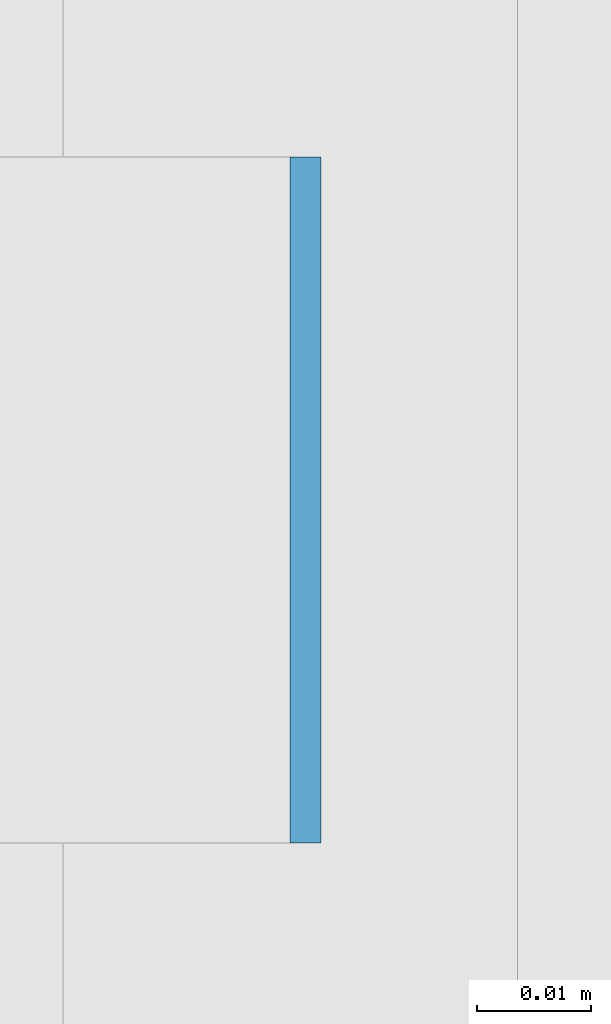
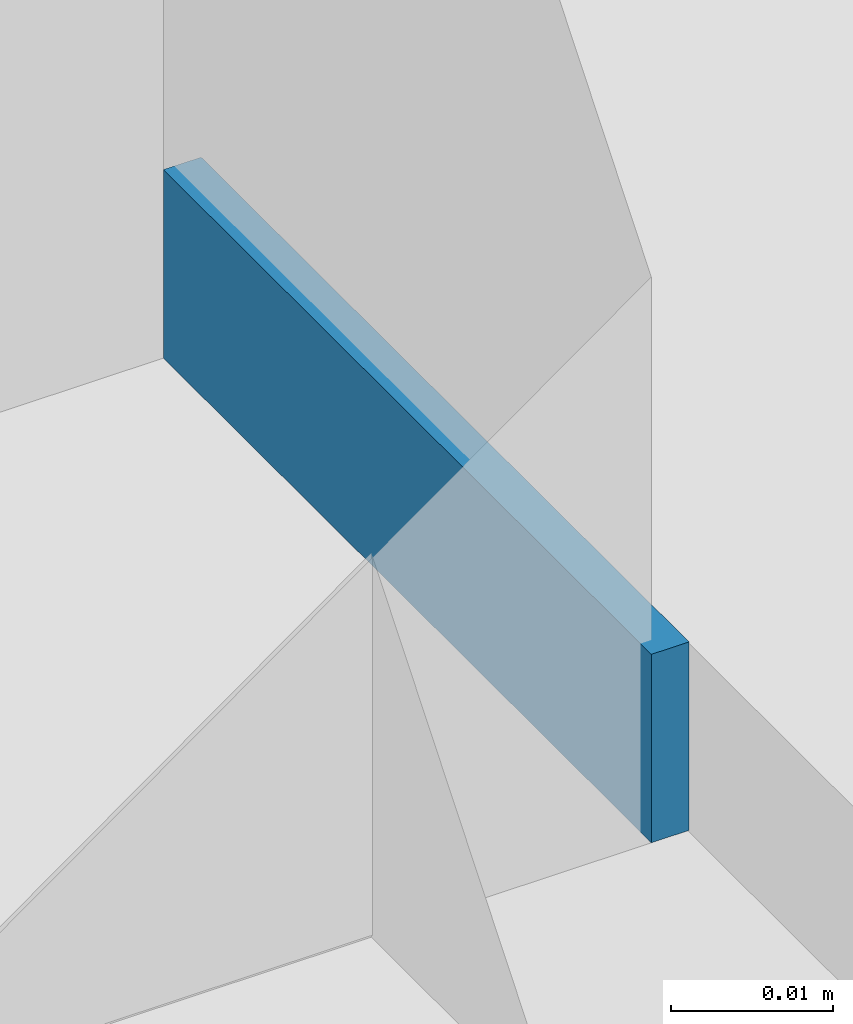
# One storey, part 404 of 646: 1 discrete accessory.
"""IFC4 building model written with IfcOpenShell, lengths in metres."""

from ifc_helpers import new_model, si_unit, direction, frame, origin, origin_2d, place, context, subcontext, project, spatial, rectangle, extrude, material, type_object, element, save


model = new_model("IFC4")

# Units and contexts
model_context = context("Model", 3, precision=1e-05, world=origin(), true_north=direction((0.0, 1.0)))
body_context = subcontext(model_context, "Body", "Model", "MODEL_VIEW")
ifc_project = project(units=[si_unit("LENGTHUNIT", "METRE"), si_unit("AREAUNIT", "SQUARE_METRE"), si_unit("VOLUMEUNIT", "CUBIC_METRE"), si_unit("PLANEANGLEUNIT", "RADIAN"), si_unit("MASSUNIT", "GRAM", prefix="KILO")], contexts=[model_context])

# Site, building, storey
site_placement = place(None, origin())
site = spatial("IfcSite", under=ifc_project, at=site_placement, CompositionType="ELEMENT")
building_placement = place(site_placement, origin())
building = spatial("IfcBuilding", under=site, at=building_placement, Name="Silverbay Arena", CompositionType="ELEMENT")
storey_placement = place(building_placement, frame((0.0, 0.0, 33.5)))
storey = spatial("IfcBuildingStorey", under=building, at=storey_placement, Name="L05", CompositionType="ELEMENT", Elevation=33.5)

# Discrete accessory
ifc_material = material(Name="Steel S355", Category="steel")
discrete_accessory_type = type_object("IfcDiscreteAccessoryType", Name="Steel bracket plate", PredefinedType="BRACKET", material=ifc_material)
discrete_accessory_placement = place(storey_placement, frame((53.871337890625, 120.857177734375, 4.0), z_axis=(0.0, 0.0, 1.0), x_axis=(1.0, 0.0, 0.0)))
element("IfcDiscreteAccessory", 1, at=discrete_accessory_placement, inside=storey, type_object=discrete_accessory_type, Name="Curtain wall packing plate", PredefinedType="BRACKET", context=body_context, shape_type="SweptSolid", body=[
    extrude(rectangle(XDim=0.002685546875, YDim=0.06005859375, at=origin_2d()), origin(), (0.0, 0.0, 1.0), 0.01416015625),
])

save(model, "model.ifc")
